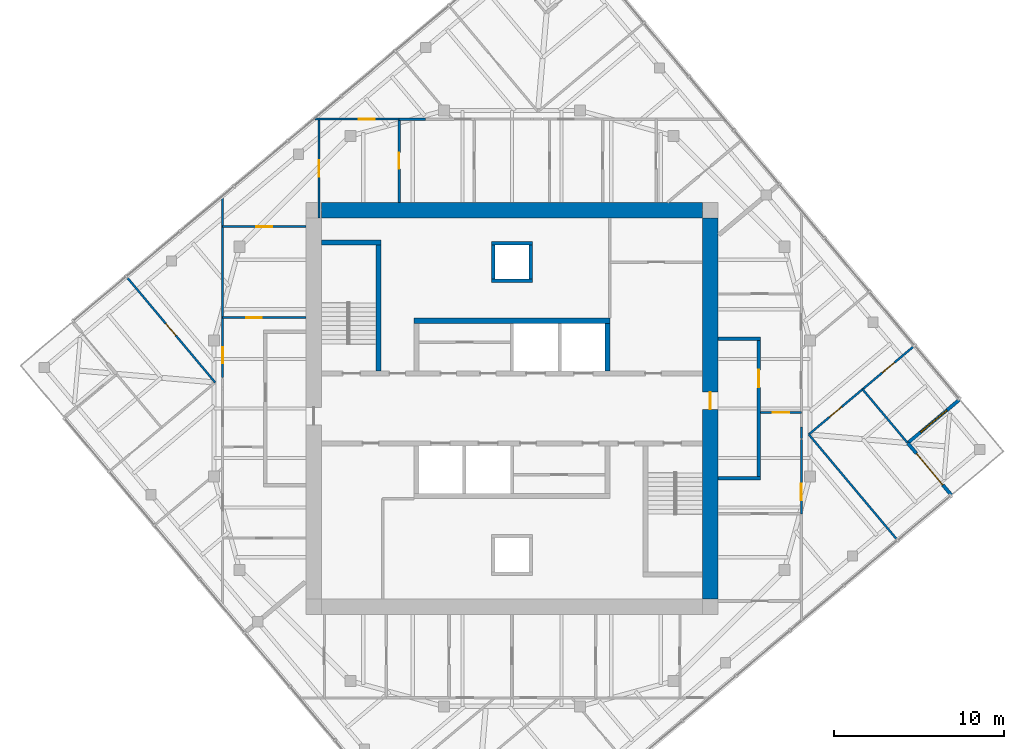
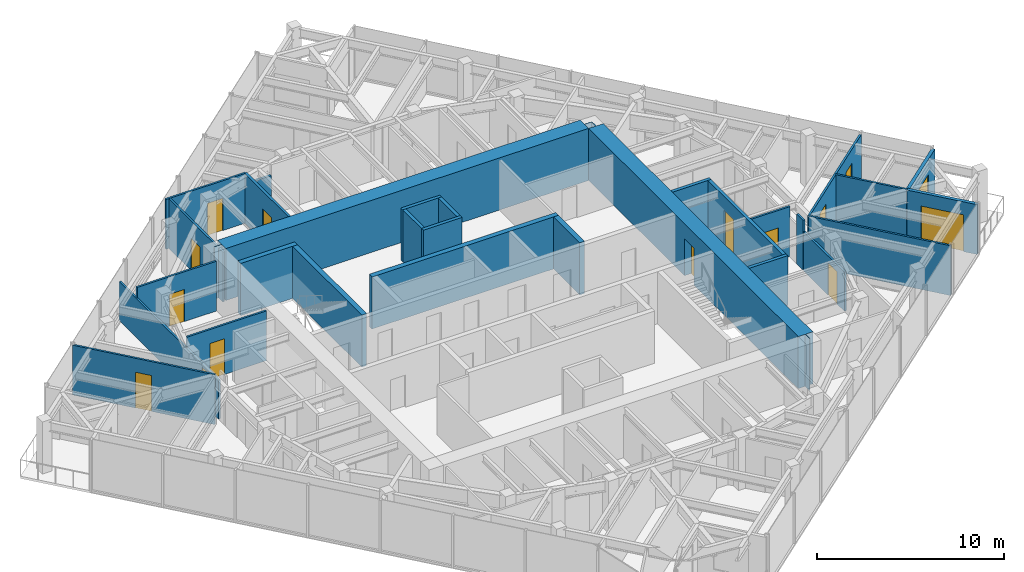
# One storey, part 9 of 12: 29 walls, 14 doors, 1 window, 15 openings.
"""IFC4 building model written with IfcOpenShell, lengths in metres."""

from ifc_helpers import new_model, si_unit, direction, frame, frame_2d, origin, place, context, subcontext, project, spatial, polyline, rectangle, outline, extrude, material, layer, layer_set, type_object, element, fill, save


model = new_model("IFC4")

# Units and contexts
model_context = context("Model", 3, precision=1e-05, world=origin(), true_north=direction((0.0, 1.0)))
body_context = subcontext(model_context, "Body", "Model", "MODEL_VIEW")
ifc_project = project(units=[si_unit("LENGTHUNIT", "METRE"), si_unit("AREAUNIT", "SQUARE_METRE"), si_unit("VOLUMEUNIT", "CUBIC_METRE"), si_unit("PLANEANGLEUNIT", "RADIAN"), si_unit("MASSUNIT", "GRAM", prefix="KILO")], contexts=[model_context])

# Site, building, storey
site_placement = place(None, origin())
site = spatial("IfcSite", under=ifc_project, at=site_placement, CompositionType="ELEMENT")
building_placement = place(site_placement, origin())
building = spatial("IfcBuilding", under=site, at=building_placement, Name="Torsade Residences", CompositionType="ELEMENT")
storey_placement = place(building_placement, frame((0.0, 0.0, 279.39990234375)))
storey = spatial("IfcBuildingStorey", under=building, at=storey_placement, Name="L77", CompositionType="ELEMENT", Elevation=279.39990234375)

# Walls
ifc_material_1 = material(Name="Concrete 80 MPa", Category="concrete")
ifc_layer_1 = layer(ifc_material_1, 0.300048828125)
ifc_layer_set_1 = layer_set([ifc_layer_1], Name="Concrete 80 MPa")
wall_type_1 = type_object("IfcWallType", Name="CORE INTERNAL WALL 300", PredefinedType="SHEAR", material=ifc_layer_set_1)
wall_1_placement = place(storey_placement, frame((34.25, 35.14990234375, 0.0), z_axis=(0.0, 0.0, 1.0), x_axis=(1.0, 0.0, 0.0)))
element("IfcWall", 1, at=wall_1_placement, inside=storey, type_object=wall_type_1, Name="Core wall BN L77", PredefinedType="SHEAR", context=body_context, shape_type="SweptSolid", body=[
    extrude(rectangle(XDim=11.5, YDim=0.300048828125, at=frame_2d((5.75, 0.0))), origin(), (0.0, 0.0, 1.0), 3.400146484375),
])
wall_2_placement = place(storey_placement, frame((45.60009765625, 32.199951171875, 0.0), z_axis=(0.0, 0.0, 1.0), x_axis=(0.0, 1.0, 0.0)))
element("IfcWall", 2, at=wall_2_placement, inside=storey, type_object=wall_type_1, Name="Core wall DN4 L77", PredefinedType="SHEAR", context=body_context, shape_type="SweptSolid", body=[
    extrude(rectangle(XDim=2.800048828125, YDim=0.300048828125, at=frame_2d((1.39990234375, 0.0))), origin(), (0.0, 0.0, 1.0), 3.400146484375),
])
wall_3_placement = place(storey_placement, frame((32.14990234375, 32.199951171875, 0.0), z_axis=(0.0, 0.0, 1.0), x_axis=(0.0, 1.0, 0.0)))
element("IfcWall", 3, at=wall_3_placement, inside=storey, type_object=wall_type_1, Name="Core wall ST1E L77", PredefinedType="SHEAR", context=body_context, shape_type="SweptSolid", body=[
    extrude(rectangle(XDim=7.699951171875, YDim=0.300048828125, at=frame_2d((3.85009765625, 0.0))), origin(), (0.0, 0.0, 1.0), 3.400146484375),
])
wall_4_placement = place(storey_placement, frame((28.800048828125, 39.75, 0.0), z_axis=(0.0, 0.0, 1.0), x_axis=(1.0, 0.0, 0.0)))
element("IfcWall", 4, at=wall_4_placement, inside=storey, type_object=wall_type_1, Name="Core wall ST1N L77", PredefinedType="SHEAR", context=body_context, shape_type="SweptSolid", body=[
    extrude(rectangle(XDim=3.5, YDim=0.300048828125, at=frame_2d((1.75, 0.0))), origin(), (0.0, 0.0, 1.0), 3.400146484375),
])
ifc_material_2 = material(Name="Concrete 80 MPa", Category="concrete")
ifc_layer_2 = layer(ifc_material_2, 0.89990234375)
ifc_layer_set_2 = layer_set([ifc_layer_2], Name="Concrete 80 MPa")
wall_type_2 = type_object("IfcWallType", Name="CORE WALL 900", PredefinedType="SHEAR", material=ifc_layer_set_2)
wall_5_placement = place(storey_placement, frame((28.800048828125, 41.64990234375, 0.0), z_axis=(0.0, 0.0, 1.0), x_axis=(1.0, 0.0, 0.0)))
element("IfcWall", 5, at=wall_5_placement, inside=storey, type_object=wall_type_2, Name="Core wall N L77", PredefinedType="SHEAR", context=body_context, shape_type="SweptSolid", body=[
    extrude(outline(polyline([(0.0, -0.449951171875), (22.39990234375, -0.449951171875), (22.39990234375, -0.02490234375), (22.849853515625, -0.02490234375), (22.849853515625, 0.02490234375), (22.39990234375, 0.02490234375), (22.39990234375, 0.449951171875), (0.0, 0.449951171875), (0.0, 0.02490234375), (-0.449951171875, 0.02490234375), (-0.449951171875, -0.02490234375), (0.0, -0.02490234375), (0.0, -0.449951171875)])), origin(), (0.0, 0.0, 1.0), 3.400146484375),
])

# Wall, opening, door
wall_6_placement = place(storey_placement, frame((51.64990234375, 18.800048828125, 0.0), z_axis=(0.0, 0.0, 1.0), x_axis=(0.0, 1.0, 0.0)))
wall_6 = element("IfcWall", 6, at=wall_6_placement, inside=storey, type_object=wall_type_2, Name="Core wall E L77", PredefinedType="SHEAR", context=body_context, shape_type="SweptSolid", body=[
    extrude(outline(polyline([(0.0, -0.449951171875), (22.39990234375, -0.449951171875), (22.39990234375, -0.02490234375), (22.849853515625, -0.02490234375), (22.849853515625, 0.02490234375), (22.39990234375, 0.02490234375), (22.39990234375, 0.449951171875), (0.0, 0.449951171875), (0.0, 0.02490234375), (-0.449951171875, 0.02490234375), (-0.449951171875, -0.02490234375), (0.0, -0.02490234375), (0.0, -0.449951171875)])), origin(), (0.0, 0.0, 1.0), 3.400146484375),
])
opening_1_placement = place(wall_6_placement, frame((11.139892578125, 0.0, 0.0)))
opening_1 = element("IfcOpeningElement", 7, at=opening_1_placement, cuts=wall_6, Name="Opening D04", PredefinedType="OPENING", context=body_context, shape_type="SweptSolid", body=[
    extrude(rectangle(XDim=1.02001953125, YDim=2.39990234375, at=frame_2d((0.510009765625, 1.199951171875))), frame((0.0, 0.4599609375, 0.0), z_axis=(0.0, -1.0, 0.0), x_axis=(1.0, 0.0, 0.0)), (0.0, 0.0, 1.0), 0.919921875),
])
ifc_material_3 = material(Name="Steel-framed fire door", Category="steel")
door_type_1 = type_object("IfcDoorType", Name="LOBBY SMOKE DOOR 1020x2400", OperationType="NOTDEFINED", PredefinedType="DOOR", material=ifc_material_3)
door_1_placement = place(opening_1_placement, origin())
door_1 = element("IfcDoor", 8, at=door_1_placement, inside=storey, type_object=door_type_1, Name="Lift lobby door E L77", OperationType="SINGLE_SWING_LEFT", OverallHeight=2.39990234375, OverallWidth=1.02001953125, PredefinedType="DOOR", context=body_context, shape_type="SweptSolid", body=[
    extrude(rectangle(XDim=1.02001953125, YDim=2.39990234375, at=frame_2d((0.510009765625, 1.199951171875))), frame((0.0, 0.02490234375, 0.0), z_axis=(0.0, -1.0, 0.0), x_axis=(1.0, 0.0, 0.0)), (0.0, 0.0, 1.0), 0.050048828125),
])
fill(opening_1, door_1)

ifc_material_4 = material(Name="Plasterboard on steel stud", Category="steel")
ifc_layer_3 = layer(ifc_material_4, 0.199951171875)
ifc_layer_set_3 = layer_set([ifc_layer_3], Name="Plasterboard on steel stud")
wall_type_3 = type_object("IfcWallType", Name="CORRIDOR WALL 200", PredefinedType="PARTITIONING", material=ifc_layer_set_3)
wall_7_placement = place(storey_placement, frame((54.5, 25.89990234375, 0.0), z_axis=(0.0, 0.0, 1.0), x_axis=(0.0, 1.0, 0.0)))
wall_7 = element("IfcWall", 9, at=wall_7_placement, inside=storey, type_object=wall_type_3, Name="Corridor wall L77", PredefinedType="PARTITIONING", context=body_context, shape_type="SweptSolid", body=[
    extrude(rectangle(XDim=8.2001953125, YDim=0.199951171875, at=frame_2d((4.10009765625, 0.0))), origin(), (0.0, 0.0, 1.0), 3.25),
])
opening_2_placement = place(wall_7_placement, frame((5.345703125, 0.0, 0.0)))
opening_2 = element("IfcOpeningElement", 10, at=opening_2_placement, cuts=wall_7, Name="Opening D01", PredefinedType="OPENING", context=body_context, shape_type="SweptSolid", body=[
    extrude(rectangle(XDim=1.02001953125, YDim=2.340087890625, at=frame_2d((0.510009765625, 1.169921875))), frame((0.0, 0.10986328125, 0.0), z_axis=(0.0, -1.0, 0.0), x_axis=(1.0, 0.0, 0.0)), (0.0, 0.0, 1.0), 0.219970703125),
])
ifc_material_5 = material(Name="Solid-core timber fire door", Category="wood")
door_type_2 = type_object("IfcDoorType", Name="APARTMENT ENTRY DOOR 1020x2340", OperationType="NOTDEFINED", PredefinedType="DOOR", material=ifc_material_5)
door_2_placement = place(opening_2_placement, origin())
door_2 = element("IfcDoor", 11, at=door_2_placement, inside=storey, type_object=door_type_2, Name="Door Residential corridor to Kitchen and dining", OperationType="SINGLE_SWING_RIGHT", OverallHeight=2.340087890625, OverallWidth=1.02001953125, PredefinedType="DOOR", context=body_context, shape_type="SweptSolid", body=[
    extrude(rectangle(XDim=1.02001953125, YDim=2.340087890625, at=frame_2d((0.510009765625, 1.169921875))), frame((0.0, 0.02490234375, 0.0), z_axis=(0.0, -1.0, 0.0), x_axis=(1.0, 0.0, 0.0)), (0.0, 0.0, 1.0), 0.050048828125),
])
fill(opening_2, door_2)

# Walls
for number, where, z_axis, x_axis, name in (
    (12, (52.10009765625, 34.10009765625, 0.0), (0.0, 0.0, 1.0), (1.0, 0.0, 0.0), "Corridor wall L77"),
    (13, (52.10009765625, 25.89990234375, 0.0), (0.0, 0.0, 1.0), (1.0, 0.0, 0.0), "Corridor wall L77"),
):
    element("IfcWall", number, at=place(storey_placement, frame(where, z_axis=z_axis, x_axis=x_axis)), inside=storey, type_object=wall_type_3, Name=name, PredefinedType="PARTITIONING", context=body_context, shape_type="SweptSolid", body=[
        extrude(rectangle(XDim=2.5, YDim=0.199951171875, at=frame_2d((1.25, 0.0))), origin(), (0.0, 0.0, 1.0), 3.25),
    ])

# Wall, opening, door
ifc_material_6 = material(Name="Plasterboard on steel stud", Category="steel")
ifc_layer_4 = layer(ifc_material_6, 0.1201171875)
ifc_layer_set_4 = layer_set([ifc_layer_4], Name="Plasterboard on steel stud")
wall_type_4 = type_object("IfcWallType", Name="PARTITION 120", PredefinedType="PARTITIONING", material=ifc_layer_set_4)
wall_8_placement = place(storey_placement, frame((57.0, 29.761474609375, 0.0), z_axis=(0.0, 0.0, 1.0), x_axis=(-1.0, 0.0, 0.0)))
wall_8 = element("IfcWall", 14, at=wall_8_placement, inside=storey, type_object=wall_type_4, Name="Partition L77", PredefinedType="PARTITIONING", context=body_context, shape_type="SweptSolid", body=[
    extrude(rectangle(XDim=2.39990234375, YDim=0.1201171875, at=frame_2d((1.199951171875, 0.0))), origin(), (0.0, 0.0, 1.0), 3.25),
])
opening_3_placement = place(wall_8_placement, frame((0.719970703125, 0.0, 0.0)))
opening_3 = element("IfcOpeningElement", 15, at=opening_3_placement, cuts=wall_8, Name="Opening D05", PredefinedType="OPENING", context=body_context, shape_type="SweptSolid", body=[
    extrude(rectangle(XDim=0.9599609375, YDim=2.10009765625, at=frame_2d((0.47998046875, 1.050048828125))), frame((0.0, 0.070068359375, 0.0), z_axis=(0.0, -1.0, 0.0), x_axis=(1.0, 0.0, 0.0)), (0.0, 0.0, 1.0), 0.14013671875),
])
ifc_material_7 = material(Name="Hollow-core timber door in a steel cavity frame", Category="steel")
door_type_3 = type_object("IfcDoorType", Name="BATHROOM CAVITY SLIDING DOOR 960", OperationType="SLIDING_TO_LEFT", PredefinedType="DOOR", material=ifc_material_7)
door_3_placement = place(opening_3_placement, origin())
door_3 = element("IfcDoor", 16, at=door_3_placement, inside=storey, type_object=door_type_3, Name="Door Kitchen and dining to Bathroom", OperationType="SLIDING_TO_LEFT", OverallHeight=2.10009765625, OverallWidth=0.9599609375, PredefinedType="DOOR", context=body_context, shape_type="SweptSolid", body=[
    extrude(rectangle(XDim=0.9599609375, YDim=2.10009765625, at=frame_2d((0.47998046875, 1.050048828125))), frame((0.0, 0.02490234375, 0.0), z_axis=(0.0, -1.0, 0.0), x_axis=(1.0, 0.0, 0.0)), (0.0, 0.0, 1.0), 0.050048828125),
])
fill(opening_3, door_3)

wall_9_placement = place(storey_placement, frame((57.0, 28.175537109375, 0.0), z_axis=(0.0, 0.0, 1.0), x_axis=(0.0, -1.0, 0.0)))
wall_9 = element("IfcWall", 17, at=wall_9_placement, inside=storey, type_object=wall_type_4, Name="Partition L77", PredefinedType="PARTITIONING", context=body_context, shape_type="SweptSolid", body=[
    extrude(rectangle(XDim=4.365478515625, YDim=0.1201171875, at=frame_2d((2.1826171875, 0.0))), origin(), (0.0, 0.0, 1.0), 2.550048828125),
])
opening_4_placement = place(wall_9_placement, frame((2.602783203125, 0.0, 0.0)))
opening_4 = element("IfcOpeningElement", 18, at=opening_4_placement, cuts=wall_9, Name="Opening D05", PredefinedType="OPENING", context=body_context, shape_type="SweptSolid", body=[
    extrude(rectangle(XDim=0.9599609375, YDim=2.10009765625, at=frame_2d((0.47998046875, 1.050048828125))), frame((0.0, 0.070068359375, 0.0), z_axis=(0.0, -1.0, 0.0), x_axis=(1.0, 0.0, 0.0)), (0.0, 0.0, 1.0), 0.14013671875),
])
door_4_placement = place(opening_4_placement, origin())
door_4 = element("IfcDoor", 19, at=door_4_placement, inside=storey, type_object=door_type_3, Name="Door Bathroom to Bedroom 3", OperationType="SLIDING_TO_LEFT", OverallHeight=2.10009765625, OverallWidth=0.9599609375, PredefinedType="DOOR", context=body_context, shape_type="SweptSolid", body=[
    extrude(rectangle(XDim=0.9599609375, YDim=2.10009765625, at=frame_2d((0.47998046875, 1.050048828125))), frame((0.0, 0.02490234375, 0.0), z_axis=(0.0, -1.0, 0.0), x_axis=(1.0, 0.0, 0.0)), (0.0, 0.0, 1.0), 0.050048828125),
])
fill(opening_4, door_4)

# Wall
wall_10_placement = place(storey_placement, frame((62.63134765625, 22.28125, 0.0), z_axis=(0.0, 0.0, 1.0), x_axis=(-0.642800378028, 0.766033729027, 0.0)))
element("IfcWall", 20, at=wall_10_placement, inside=storey, type_object=wall_type_4, Name="Partition L77", PredefinedType="PARTITIONING", context=body_context, shape_type="SweptSolid", body=[
    extrude(rectangle(XDim=8.0849609375, YDim=0.1201171875, at=frame_2d((4.04248046875, 0.0))), origin(), (0.0, 0.0, 1.0), 3.25),
])

# Wall, openings, doors
wall_11_placement = place(storey_placement, frame((57.434326171875, 28.474609375, 0.0), z_axis=(0.0, 0.0, 1.0), x_axis=(0.766033729027, 0.642800378028, 0.0)))
wall_11 = element("IfcWall", 21, at=wall_11_placement, inside=storey, type_object=wall_type_4, Name="Partition L77", PredefinedType="PARTITIONING", context=body_context, shape_type="SweptSolid", body=[
    extrude(rectangle(XDim=8.0849609375, YDim=0.1201171875, at=frame_2d((4.04248046875, 0.0))), origin(), (0.0, 0.0, 1.0), 3.25),
])
opening_5_placement = place(wall_11_placement, frame((1.6025390625, 0.0, 0.0)))
opening_5 = element("IfcOpeningElement", 22, at=opening_5_placement, cuts=wall_11, Name="Opening D02", PredefinedType="OPENING", context=body_context, shape_type="SweptSolid", body=[
    extrude(rectangle(XDim=0.919921875, YDim=2.340087890625, at=frame_2d((0.4599609375, 1.169921875))), frame((0.0, 0.070068359375, 0.0), z_axis=(0.0, -1.0, 0.0), x_axis=(1.0, 0.0, 0.0)), (0.0, 0.0, 1.0), 0.14013671875),
])
opening_6_placement = place(wall_11_placement, frame((5.639892578125, 0.0, 0.0)))
opening_6 = element("IfcOpeningElement", 23, at=opening_6_placement, cuts=wall_11, Name="Opening D02", PredefinedType="OPENING", context=body_context, shape_type="SweptSolid", body=[
    extrude(rectangle(XDim=0.919921875, YDim=2.340087890625, at=frame_2d((0.4599609375, 1.169921875))), frame((0.0, 0.070068359375, 0.0), z_axis=(0.0, -1.0, 0.0), x_axis=(1.0, 0.0, 0.0)), (0.0, 0.0, 1.0), 0.14013671875),
])
ifc_material_8 = material(Name="Hollow-core timber door", Category="wood")
door_type_4 = type_object("IfcDoorType", Name="INTERNAL DOOR 920x2340", OperationType="NOTDEFINED", PredefinedType="DOOR", material=ifc_material_8)
door_5_placement = place(opening_5_placement, origin())
door_5 = element("IfcDoor", 24, at=door_5_placement, inside=storey, type_object=door_type_4, Name="Door Bedroom 4 to Bedroom 1", OperationType="SINGLE_SWING_LEFT", OverallHeight=2.340087890625, OverallWidth=0.919921875, PredefinedType="DOOR", context=body_context, shape_type="SweptSolid", body=[
    extrude(rectangle(XDim=0.919921875, YDim=2.340087890625, at=frame_2d((0.4599609375, 1.169921875))), frame((0.0, 0.02490234375, 0.0), z_axis=(0.0, -1.0, 0.0), x_axis=(1.0, 0.0, 0.0)), (0.0, 0.0, 1.0), 0.050048828125),
])
fill(opening_5, door_5)
door_6_placement = place(opening_6_placement, origin())
door_6 = element("IfcDoor", 25, at=door_6_placement, inside=storey, type_object=door_type_4, Name="Door Bedroom 4 to Study 2", OperationType="SINGLE_SWING_LEFT", OverallHeight=2.340087890625, OverallWidth=0.919921875, PredefinedType="DOOR", context=body_context, shape_type="SweptSolid", body=[
    extrude(rectangle(XDim=0.919921875, YDim=2.340087890625, at=frame_2d((0.4599609375, 1.169921875))), frame((0.0, 0.02490234375, 0.0), z_axis=(0.0, -1.0, 0.0), x_axis=(1.0, 0.0, 0.0)), (0.0, 0.0, 1.0), 0.050048828125),
])
fill(opening_6, door_6)

# Wall
wall_12_placement = place(storey_placement, frame((60.59423828125, 31.126220703125, 0.0), z_axis=(0.0, 0.0, 1.0), x_axis=(0.642767300664, -0.766061483953, 0.0)))
element("IfcWall", 26, at=wall_12_placement, inside=storey, type_object=wall_type_4, Name="Partition L77", PredefinedType="PARTITIONING", context=body_context, shape_type="SweptSolid", body=[
    extrude(rectangle(XDim=4.0849609375, YDim=0.1201171875, at=frame_2d((2.04248046875, 0.0))), origin(), (0.0, 0.0, 1.0), 3.25),
])

# Wall, opening, door
wall_13_placement = place(storey_placement, frame((23.0, 35.333251953125, 0.0), z_axis=(0.0, 0.0, 1.0), x_axis=(1.0, 0.0, 0.0)))
wall_13 = element("IfcWall", 27, at=wall_13_placement, inside=storey, type_object=wall_type_4, Name="Partition L77", PredefinedType="PARTITIONING", context=body_context, shape_type="SweptSolid", body=[
    extrude(rectangle(XDim=4.89990234375, YDim=0.1201171875, at=frame_2d((2.449951171875, 0.0))), origin(), (0.0, 0.0, 1.0), 3.25),
])
opening_7_placement = place(wall_13_placement, frame((1.389892578125, 0.0, 0.0)))
opening_7 = element("IfcOpeningElement", 28, at=opening_7_placement, cuts=wall_13, Name="Opening D02", PredefinedType="OPENING", context=body_context, shape_type="SweptSolid", body=[
    extrude(rectangle(XDim=0.919921875, YDim=2.340087890625, at=frame_2d((0.4599609375, 1.169921875))), frame((0.0, 0.070068359375, 0.0), z_axis=(0.0, -1.0, 0.0), x_axis=(1.0, 0.0, 0.0)), (0.0, 0.0, 1.0), 0.14013671875),
])
door_7_placement = place(opening_7_placement, origin())
door_7 = element("IfcDoor", 29, at=door_7_placement, inside=storey, type_object=door_type_4, Name="Door Kitchen and dining to Scullery", OperationType="SINGLE_SWING_LEFT", OverallHeight=2.340087890625, OverallWidth=0.919921875, PredefinedType="DOOR", context=body_context, shape_type="SweptSolid", body=[
    extrude(rectangle(XDim=0.919921875, YDim=2.340087890625, at=frame_2d((0.4599609375, 1.169921875))), frame((0.0, 0.02490234375, 0.0), z_axis=(0.0, -1.0, 0.0), x_axis=(1.0, 0.0, 0.0)), (0.0, 0.0, 1.0), 0.050048828125),
])
fill(opening_7, door_7)

wall_14_placement = place(storey_placement, frame((23.0, 31.824462890625, 0.0), z_axis=(0.0, 0.0, 1.0), x_axis=(0.0, 1.0, 0.0)))
wall_14 = element("IfcWall", 30, at=wall_14_placement, inside=storey, type_object=wall_type_4, Name="Partition L77", PredefinedType="PARTITIONING", context=body_context, shape_type="SweptSolid", body=[
    extrude(rectangle(XDim=10.619384765625, YDim=0.1201171875, at=frame_2d((5.3095703125, 0.0))), origin(), (0.0, 0.0, 1.0), 2.550048828125),
])
opening_8_placement = place(wall_14_placement, frame((0.844482421875, 0.0, 0.0)))
opening_8 = element("IfcOpeningElement", 31, at=opening_8_placement, cuts=wall_14, Name="Opening D02", PredefinedType="OPENING", context=body_context, shape_type="SweptSolid", body=[
    extrude(rectangle(XDim=0.919921875, YDim=2.340087890625, at=frame_2d((0.4599609375, 1.169921875))), frame((0.0, 0.070068359375, 0.0), z_axis=(0.0, -1.0, 0.0), x_axis=(1.0, 0.0, 0.0)), (0.0, 0.0, 1.0), 0.14013671875),
])
door_8_placement = place(opening_8_placement, origin())
door_8 = element("IfcDoor", 32, at=door_8_placement, inside=storey, type_object=door_type_4, Name="Door Kitchen and dining to Bedroom 3", OperationType="SINGLE_SWING_RIGHT", OverallHeight=2.340087890625, OverallWidth=0.919921875, PredefinedType="DOOR", context=body_context, shape_type="SweptSolid", body=[
    extrude(rectangle(XDim=0.919921875, YDim=2.340087890625, at=frame_2d((0.4599609375, 1.169921875))), frame((0.0, 0.02490234375, 0.0), z_axis=(0.0, -1.0, 0.0), x_axis=(1.0, 0.0, 0.0)), (0.0, 0.0, 1.0), 0.050048828125),
])
fill(opening_8, door_8)

wall_15_placement = place(storey_placement, frame((23.0, 40.67626953125, 0.0), z_axis=(0.0, 0.0, 1.0), x_axis=(1.0, 0.0, 0.0)))
wall_15 = element("IfcWall", 33, at=wall_15_placement, inside=storey, type_object=wall_type_4, Name="Partition L77", PredefinedType="PARTITIONING", context=body_context, shape_type="SweptSolid", body=[
    extrude(rectangle(XDim=4.89990234375, YDim=0.1201171875, at=frame_2d((2.449951171875, 0.0))), origin(), (0.0, 0.0, 1.0), 3.25),
])
opening_9_placement = place(wall_15_placement, frame((1.989990234375, 0.0, 0.0)))
opening_9 = element("IfcOpeningElement", 34, at=opening_9_placement, cuts=wall_15, Name="Opening D02L", PredefinedType="OPENING", context=body_context, shape_type="SweptSolid", body=[
    extrude(rectangle(XDim=0.919921875, YDim=2.10009765625, at=frame_2d((0.4599609375, 1.050048828125))), frame((0.0, 0.070068359375, 0.0), z_axis=(0.0, -1.0, 0.0), x_axis=(1.0, 0.0, 0.0)), (0.0, 0.0, 1.0), 0.14013671875),
])
ifc_material_9 = material(Name="Hollow-core timber door", Category="wood")
door_type_5 = type_object("IfcDoorType", Name="INTERNAL DOOR 920x2100", OperationType="NOTDEFINED", PredefinedType="DOOR", material=ifc_material_9)
door_9_placement = place(opening_9_placement, origin())
door_9 = element("IfcDoor", 35, at=door_9_placement, inside=storey, type_object=door_type_5, Name="Door Scullery to Dressing room 2", OperationType="SINGLE_SWING_LEFT", OverallHeight=2.10009765625, OverallWidth=0.919921875, PredefinedType="DOOR", context=body_context, shape_type="SweptSolid", body=[
    extrude(rectangle(XDim=0.919921875, YDim=2.10009765625, at=frame_2d((0.4599609375, 1.050048828125))), frame((0.0, 0.02490234375, 0.0), z_axis=(0.0, -1.0, 0.0), x_axis=(1.0, 0.0, 0.0)), (0.0, 0.0, 1.0), 0.050048828125),
])
fill(opening_9, door_9)

wall_16_placement = place(storey_placement, frame((28.66259765625, 41.179931640625, 0.0), z_axis=(0.0, 0.0, 1.0), x_axis=(0.0, 1.0, 0.0)))
wall_16 = element("IfcWall", 36, at=wall_16_placement, inside=storey, type_object=wall_type_4, Name="Partition L77", PredefinedType="PARTITIONING", context=body_context, shape_type="SweptSolid", body=[
    extrude(rectangle(XDim=5.820068359375, YDim=0.1201171875, at=frame_2d((2.91015625, 0.0))), origin(), (0.0, 0.0, 1.0), 3.25),
])
opening_10_placement = place(wall_16_placement, frame((2.43994140625, 0.0, 0.0)))
opening_10 = element("IfcOpeningElement", 37, at=opening_10_placement, cuts=wall_16, Name="Opening D05", PredefinedType="OPENING", context=body_context, shape_type="SweptSolid", body=[
    extrude(rectangle(XDim=0.9599609375, YDim=2.10009765625, at=frame_2d((0.47998046875, 1.050048828125))), frame((0.0, 0.070068359375, 0.0), z_axis=(0.0, -1.0, 0.0), x_axis=(1.0, 0.0, 0.0)), (0.0, 0.0, 1.0), 0.14013671875),
])
door_10_placement = place(opening_10_placement, origin())
door_10 = element("IfcDoor", 38, at=door_10_placement, inside=storey, type_object=door_type_3, Name="Door Dressing room 2 to Ensuite", OperationType="SLIDING_TO_LEFT", OverallHeight=2.10009765625, OverallWidth=0.9599609375, PredefinedType="DOOR", context=body_context, shape_type="SweptSolid", body=[
    extrude(rectangle(XDim=0.9599609375, YDim=2.10009765625, at=frame_2d((0.47998046875, 1.050048828125))), frame((0.0, 0.02490234375, 0.0), z_axis=(0.0, -1.0, 0.0), x_axis=(1.0, 0.0, 0.0)), (0.0, 0.0, 1.0), 0.050048828125),
])
fill(opening_10, door_10)

wall_17_placement = place(storey_placement, frame((28.4296875, 47.0, 0.0), z_axis=(0.0, 0.0, 1.0), x_axis=(1.0, 0.0, 0.0)))
wall_17 = element("IfcWall", 39, at=wall_17_placement, inside=storey, type_object=wall_type_4, Name="Partition L77", PredefinedType="PARTITIONING", context=body_context, shape_type="SweptSolid", body=[
    extrude(rectangle(XDim=4.934326171875, YDim=0.1201171875, at=frame_2d((2.46728515625, 0.0))), origin(), (0.0, 0.0, 1.0), 3.25),
])
opening_11_placement = place(wall_17_placement, frame((2.553466796875, 0.0, 0.0)))
opening_11 = element("IfcOpeningElement", 40, at=opening_11_placement, cuts=wall_17, Name="Opening D05", PredefinedType="OPENING", context=body_context, shape_type="SweptSolid", body=[
    extrude(rectangle(XDim=0.9599609375, YDim=2.10009765625, at=frame_2d((0.47998046875, 1.050048828125))), frame((0.0, 0.070068359375, 0.0), z_axis=(0.0, -1.0, 0.0), x_axis=(1.0, 0.0, 0.0)), (0.0, 0.0, 1.0), 0.14013671875),
])
door_11_placement = place(opening_11_placement, origin())
door_11 = element("IfcDoor", 41, at=door_11_placement, inside=storey, type_object=door_type_3, Name="Door Ensuite to Family room", OperationType="SLIDING_TO_LEFT", OverallHeight=2.10009765625, OverallWidth=0.9599609375, PredefinedType="DOOR", context=body_context, shape_type="SweptSolid", body=[
    extrude(rectangle(XDim=0.9599609375, YDim=2.10009765625, at=frame_2d((0.47998046875, 1.050048828125))), frame((0.0, 0.02490234375, 0.0), z_axis=(0.0, -1.0, 0.0), x_axis=(1.0, 0.0, 0.0)), (0.0, 0.0, 1.0), 0.050048828125),
])
fill(opening_11, door_11)

wall_18_placement = place(storey_placement, frame((17.36865234375, 37.71875, 0.0), z_axis=(0.0, 0.0, 1.0), x_axis=(0.642800378028, -0.766033729027, 0.0)))
wall_18 = element("IfcWall", 42, at=wall_18_placement, inside=storey, type_object=wall_type_4, Name="Partition L77", PredefinedType="PARTITIONING", context=body_context, shape_type="SweptSolid", body=[
    extrude(rectangle(XDim=8.0849609375, YDim=0.1201171875, at=frame_2d((4.04248046875, 0.0))), origin(), (0.0, 0.0, 1.0), 3.25),
])
opening_12_placement = place(wall_18_placement, frame((3.5625, 0.0, 0.0)))
opening_12 = element("IfcOpeningElement", 43, at=opening_12_placement, cuts=wall_18, Name="Opening D02", PredefinedType="OPENING", context=body_context, shape_type="SweptSolid", body=[
    extrude(rectangle(XDim=0.919921875, YDim=2.340087890625, at=frame_2d((0.4599609375, 1.169921875))), frame((0.0, 0.070068359375, 0.0), z_axis=(0.0, -1.0, 0.0), x_axis=(1.0, 0.0, 0.0)), (0.0, 0.0, 1.0), 0.14013671875),
])
door_12_placement = place(opening_12_placement, origin())
door_12 = element("IfcDoor", 44, at=door_12_placement, inside=storey, type_object=door_type_4, Name="Door Bedroom 3 to Bedroom 1", OperationType="SINGLE_SWING_RIGHT", OverallHeight=2.340087890625, OverallWidth=0.919921875, PredefinedType="DOOR", context=body_context, shape_type="SweptSolid", body=[
    extrude(rectangle(XDim=0.919921875, YDim=2.340087890625, at=frame_2d((0.4599609375, 1.169921875))), frame((0.0, 0.02490234375, 0.0), z_axis=(0.0, -1.0, 0.0), x_axis=(1.0, 0.0, 0.0)), (0.0, 0.0, 1.0), 0.050048828125),
])
fill(opening_12, door_12)

# Walls
wall_19_placement = place(storey_placement, frame((57.0, 28.91455078125, 0.0), z_axis=(0.0, 0.0, 1.0), x_axis=(0.0, -1.0, 0.0)))
element("IfcWall", 45, at=wall_19_placement, inside=storey, type_object=wall_type_4, Name="Partition L77", PredefinedType="PARTITIONING", context=body_context, shape_type="SweptSolid", body=[
    extrude(rectangle(XDim=0.67578125, YDim=0.1201171875, at=frame_2d((0.337890625, 0.0))), origin(), (0.0, 0.0, 1.0), 3.25),
])
ifc_material_10 = material(Name="Reinforced blockwork", Category="masonry")
ifc_layer_5 = layer(ifc_material_10, 0.199951171875)
ifc_layer_set_5 = layer_set([ifc_layer_5], Name="Reinforced blockwork")
wall_type_5 = type_object("IfcWallType", Name="RISER SHAFT WALL 200", PredefinedType="SOLIDWALL", material=ifc_layer_set_5)
for number, where, z_axis, x_axis, name in (
    (46, (38.89990234375, 37.60009765625, 0.0), (0.0, 0.0, 1.0), (0.0, 1.0, 0.0), "Core wall RS1a L77"),
    (47, (41.10009765625, 37.60009765625, 0.0), (0.0, 0.0, 1.0), (0.0, 1.0, 0.0), "Core wall RS1b L77"),
):
    element("IfcWall", number, at=place(storey_placement, frame(where, z_axis=z_axis, x_axis=x_axis)), inside=storey, type_object=wall_type_5, Name=name, PredefinedType="SOLIDWALL", context=body_context, shape_type="SweptSolid", body=[
        extrude(rectangle(XDim=2.0, YDim=0.199951171875, at=frame_2d((1.0, 0.0))), origin(), (0.0, 0.0, 1.0), 3.400146484375),
    ])
for number, where, z_axis, x_axis, name in (
    (48, (38.800048828125, 37.5, 0.0), (0.0, 0.0, 1.0), (1.0, 0.0, 0.0), "Core wall RS1c L77"),
    (49, (38.800048828125, 39.699951171875, 0.0), (0.0, 0.0, 1.0), (1.0, 0.0, 0.0), "Core wall RS1d L77"),
):
    element("IfcWall", number, at=place(storey_placement, frame(where, z_axis=z_axis, x_axis=x_axis)), inside=storey, type_object=wall_type_5, Name=name, PredefinedType="SOLIDWALL", context=body_context, shape_type="SweptSolid", body=[
        extrude(rectangle(XDim=2.39990234375, YDim=0.199951171875, at=frame_2d((1.199951171875, 0.0))), origin(), (0.0, 0.0, 1.0), 3.400146484375),
    ])

# Wall, opening, door
ifc_material_11 = material(Name="Reinforced blockwork", Category="masonry")
ifc_layer_6 = layer(ifc_material_11, 0.14990234375)
ifc_layer_set_6 = layer_set([ifc_layer_6], Name="Reinforced blockwork")
wall_type_6 = type_object("IfcWallType", Name="SERVICE ROOM WALL 150", PredefinedType="SOLIDWALL", material=ifc_layer_set_6)
wall_20_placement = place(storey_placement, frame((33.364013671875, 47.0, 0.0), z_axis=(0.0, 0.0, 1.0), x_axis=(0.0, -1.0, 0.0)))
wall_20 = element("IfcWall", 50, at=wall_20_placement, inside=storey, type_object=wall_type_6, Name="Service room wall L77", PredefinedType="SOLIDWALL", context=body_context, shape_type="SweptSolid", body=[
    extrude(rectangle(XDim=4.89990234375, YDim=0.14990234375, at=frame_2d((2.449951171875, 0.0))), origin(), (0.0, 0.0, 1.0), 3.25),
])
opening_13_placement = place(wall_20_placement, frame((1.969970703125, 0.0, 0.0)))
opening_13 = element("IfcOpeningElement", 51, at=opening_13_placement, cuts=wall_20, Name="Opening D05", PredefinedType="OPENING", context=body_context, shape_type="SweptSolid", body=[
    extrude(rectangle(XDim=0.9599609375, YDim=2.10009765625, at=frame_2d((0.47998046875, 1.050048828125))), frame((0.0, 0.0849609375, 0.0), z_axis=(0.0, -1.0, 0.0), x_axis=(1.0, 0.0, 0.0)), (0.0, 0.0, 1.0), 0.169921875),
])
door_13_placement = place(opening_13_placement, origin())
door_13 = element("IfcDoor", 52, at=door_13_placement, inside=storey, type_object=door_type_3, Name="Door Ensuite to Linen store", OperationType="SLIDING_TO_LEFT", OverallHeight=2.10009765625, OverallWidth=0.9599609375, PredefinedType="DOOR", context=body_context, shape_type="SweptSolid", body=[
    extrude(rectangle(XDim=0.9599609375, YDim=2.10009765625, at=frame_2d((0.47998046875, 1.050048828125))), frame((0.0, 0.02490234375, 0.0), z_axis=(0.0, -1.0, 0.0), x_axis=(1.0, 0.0, 0.0)), (0.0, 0.0, 1.0), 0.050048828125),
])
fill(opening_13, door_13)

# Wall
wall_21_placement = place(storey_placement, frame((33.364013671875, 47.0, 0.0), z_axis=(0.0, 0.0, 1.0), x_axis=(1.0, 0.0, 0.0)))
element("IfcWall", 53, at=wall_21_placement, inside=storey, type_object=wall_type_6, Name="Service room wall L77", PredefinedType="SOLIDWALL", context=body_context, shape_type="SweptSolid", body=[
    extrude(rectangle(XDim=1.552734375, YDim=0.14990234375, at=frame_2d((0.7763671875, 0.0))), origin(), (0.0, 0.0, 1.0), 2.550048828125),
])

# Wall, opening, door
ifc_material_12 = material(Name="Stone-faced precast concrete 40 MPa panel", Category="masonry")
ifc_layer_7 = layer(ifc_material_12, 0.199951171875)
ifc_layer_set_7 = layer_set([ifc_layer_7], Name="Stone-faced precast concrete 40 MPa panel")
wall_type_7 = type_object("IfcWallType", Name="TERRACE WALL 200", PredefinedType="SOLIDWALL", material=ifc_layer_set_7)
wall_22_placement = place(storey_placement, frame((65.81689453125, 24.902099609375, 0.0), z_axis=(0.0, 0.0, 1.0), x_axis=(-0.642768287094, 0.766060656284, 0.0)))
wall_22 = element("IfcWall", 54, at=wall_22_placement, inside=storey, type_object=wall_type_7, Name="Terrace wall L77 2", PredefinedType="SOLIDWALL", context=body_context, shape_type="SweptSolid", body=[
    extrude(rectangle(XDim=4.0, YDim=0.199951171875, at=frame_2d((2.0, 0.0))), origin(), (0.0, 0.0, 1.0), 3.25),
])
opening_14_placement = place(wall_22_placement, frame((0.800048828125, 0.0, 0.0)))
opening_14 = element("IfcOpeningElement", 55, at=opening_14_placement, cuts=wall_22, Name="Opening D10", PredefinedType="OPENING", context=body_context, shape_type="SweptSolid", body=[
    extrude(rectangle(XDim=2.39990234375, YDim=2.39990234375, at=frame_2d((1.199951171875, 1.199951171875))), frame((0.0, 0.10986328125, 0.0), z_axis=(0.0, -1.0, 0.0), x_axis=(1.0, 0.0, 0.0)), (0.0, 0.0, 1.0), 0.219970703125),
])
ifc_material_13 = material(Name="Aluminium-framed glass door", Category="aluminium")
door_type_6 = type_object("IfcDoorType", Name="TERRACE SLIDING DOOR 2400", OperationType="SLIDING_TO_LEFT", PredefinedType="DOOR", material=ifc_material_13)
door_14_placement = place(opening_14_placement, origin())
door_14 = element("IfcDoor", 56, at=door_14_placement, inside=storey, type_object=door_type_6, Name="Terrace door L77 2", OperationType="SLIDING_TO_LEFT", OverallHeight=2.39990234375, OverallWidth=2.39990234375, PredefinedType="DOOR", context=body_context, shape_type="SweptSolid", body=[
    extrude(rectangle(XDim=2.39990234375, YDim=2.39990234375, at=frame_2d((1.199951171875, 1.199951171875))), frame((0.0, 0.02490234375, 0.0), z_axis=(0.0, -1.0, 0.0), x_axis=(1.0, 0.0, 0.0)), (0.0, 0.0, 1.0), 0.050048828125),
])
fill(opening_14, door_14)

# Wall, opening, window
wall_23_placement = place(storey_placement, frame((63.245849609375, 27.96630859375, 0.0), z_axis=(0.0, 0.0, 1.0), x_axis=(0.766035437498, 0.642798342015, 0.0)))
wall_23 = element("IfcWall", 57, at=wall_23_placement, inside=storey, type_object=wall_type_7, Name="Terrace wall L77 3", PredefinedType="SOLIDWALL", context=body_context, shape_type="SweptSolid", body=[
    extrude(rectangle(XDim=3.999755859375, YDim=0.199951171875, at=frame_2d((2.0, 0.0))), origin(), (0.0, 0.0, 1.0), 3.25),
])
opening_15_placement = place(wall_23_placement, frame((1.0, 0.0, 0.449951171875)))
opening_15 = element("IfcOpeningElement", 58, at=opening_15_placement, cuts=wall_23, Name="Opening W1B", PredefinedType="OPENING", context=body_context, shape_type="SweptSolid", body=[
    extrude(rectangle(XDim=2.0, YDim=1.800048828125, at=frame_2d((1.0, 0.89990234375))), frame((0.0, 0.10986328125, 0.0), z_axis=(0.0, -1.0, 0.0), x_axis=(1.0, 0.0, 0.0)), (0.0, 0.0, 1.0), 0.219970703125),
])
ifc_material_14 = material(Name="Aluminium-framed glass window", Category="aluminium")
window_type = type_object("IfcWindowType", Name="TERRACE WINDOW 2000x1800", PartitioningType="SINGLE_PANEL", PredefinedType="WINDOW", material=ifc_material_14)
window_placement = place(opening_15_placement, origin())
window = element("IfcWindow", 59, at=window_placement, inside=storey, type_object=window_type, Name="Terrace window L77 3", OverallHeight=1.800048828125, OverallWidth=2.0, PartitioningType="SINGLE_PANEL", PredefinedType="WINDOW", context=body_context, shape_type="SweptSolid", body=[
    extrude(rectangle(XDim=2.0, YDim=1.800048828125, at=frame_2d((1.0, 0.89990234375))), frame((0.0, 0.030029296875, 0.0), z_axis=(0.0, -1.0, 0.0), x_axis=(1.0, 0.0, 0.0)), (0.0, 0.0, 1.0), 0.06005859375),
])
fill(opening_15, window)

save(model, "model.ifc")
